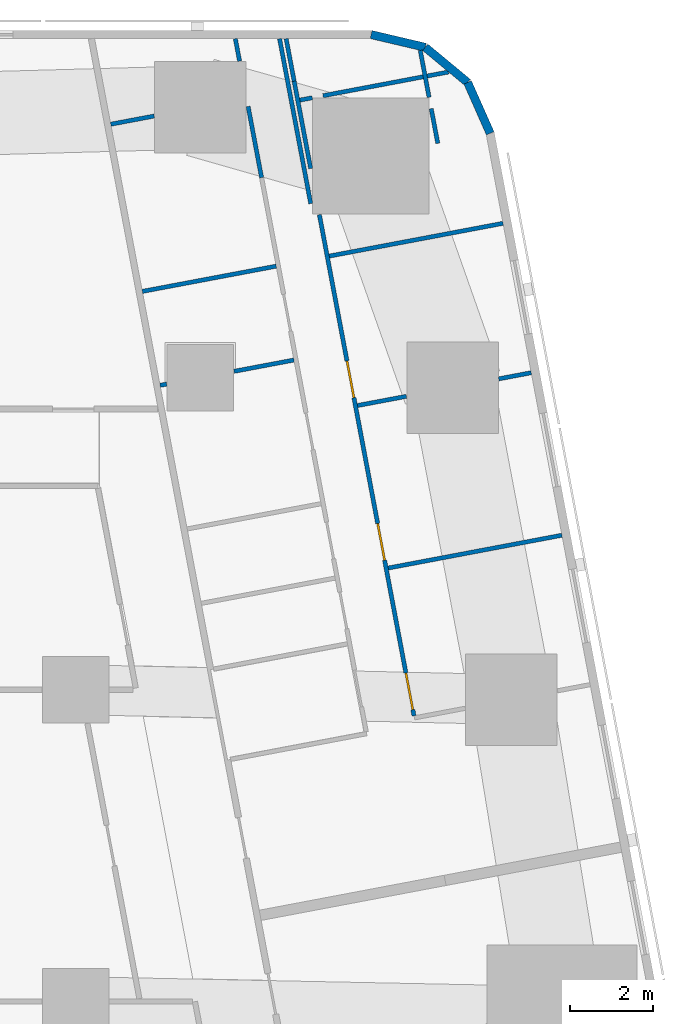
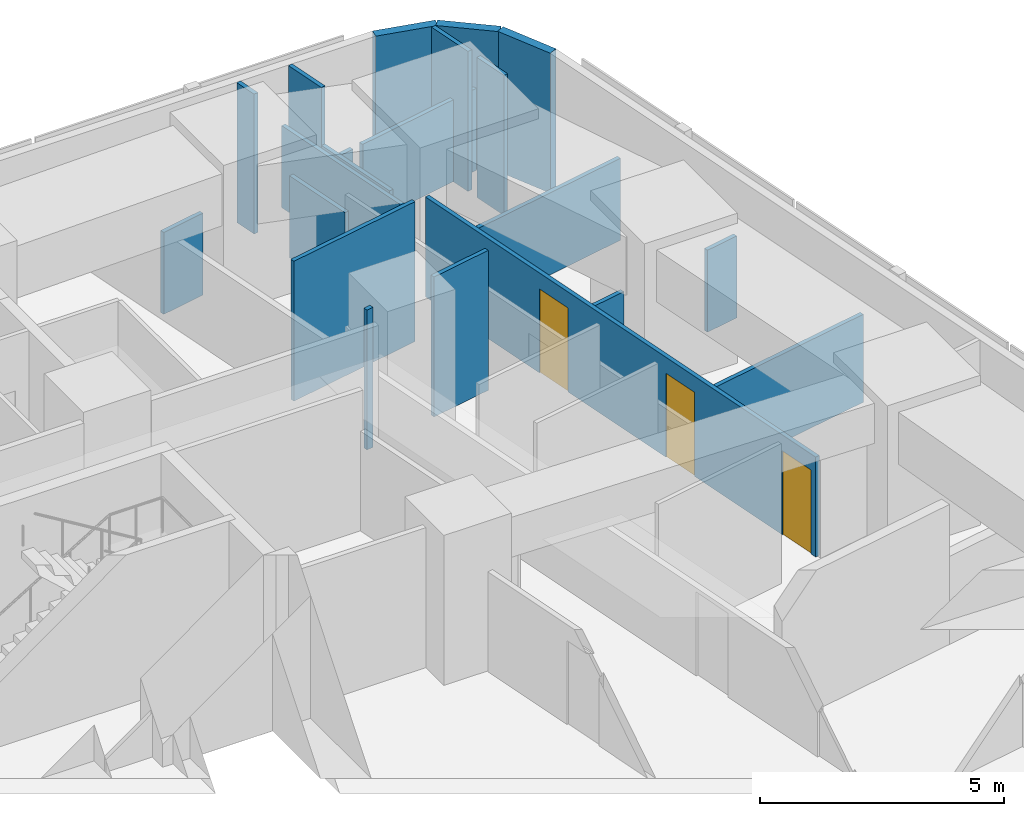
# One storey, part 10 of 15: 21 walls, 3 doors, 3 openings.
"""IFC4 building model written with IfcOpenShell, lengths in metres."""

import ifcopenshell
import ifcopenshell.guid

model = None  # the IFC model being written
_history = None  # IfcOwnerHistory: only IFC2X3 demands one
_inside = {}  # id of a spatial element -> (the spatial element, [elements in it])
_under = {}  # id of a project, library or spatial element -> (it, [spatial elements below it])
_declared = {}  # id of a project -> (the project, [libraries it declares])
_typed = {}  # id of a type object -> (the type object, [elements of that type])
_made_of = {}  # id of a material, layer set ... -> (it, [elements and type objects made of it])


def new_model(schema):
    """Start an empty IFC model of exactly this schema.

    Asked for "IFC4X3", IfcOpenShell would pick the latest addendum, in which some entities
    have other attributes; the version numbers below select the first issue.
    IFC2X3 requires an IfcOwnerHistory on every rooted entity: one is made here for all.
    """
    global model, _history
    if schema == "IFC4X3":
        model = ifcopenshell.file(schema_version=(4, 3, 0, 0))
    else:
        model = ifcopenshell.file(schema=schema)
    _inside.clear()
    _under.clear()
    _declared.clear()
    _typed.clear()
    _made_of.clear()
    _history = None
    if model.schema == "IFC2X3":
        org = make("IfcOrganization", Name="unknown")
        user = make(
            "IfcPersonAndOrganization",
            ThePerson=make("IfcPerson", FamilyName="unknown"),
            TheOrganization=org,
        )
        app = make(
            "IfcApplication",
            ApplicationDeveloper=org,
            Version="unknown",
            ApplicationFullName="unknown",
            ApplicationIdentifier="unknown",
        )
        _history = make(
            "IfcOwnerHistory",
            OwningUser=user,
            OwningApplication=app,
            ChangeAction="ADDED",
            CreationDate=0,
        )
    return model


def make(cls, **values):
    """One entity of the class cls with the attributes given. An attribute that is None is left unset."""
    return model.create_entity(
        cls, **{name: value for name, value in values.items() if value is not None}
    )


def rooted(cls, **values):
    """An entity with a GlobalId (a new one), such as an element, a storey or a relation."""
    return make(cls, GlobalId=ifcopenshell.guid.new(), OwnerHistory=_history, **values)


def si_unit(unit_type, name, prefix=None):
    """IfcSIUnit, for example si_unit("LENGTHUNIT", "METRE", prefix="MILLI")."""
    return make("IfcSIUnit", UnitType=unit_type, Prefix=prefix, Name=name)


def assignment(units):
    """IfcUnitAssignment: the units of a project."""
    return None if units is None else make("IfcUnitAssignment", Units=units)


def point(xyz):
    """IfcCartesianPoint."""
    return None if xyz is None else make("IfcCartesianPoint", Coordinates=xyz)


def direction(xyz):
    """IfcDirection."""
    return None if xyz is None else make("IfcDirection", DirectionRatios=xyz)


def frame(location, z_axis=None, x_axis=None):
    """IfcAxis2Placement3D, a coordinate frame: its origin and axes. An axis left out is left unset."""
    return make(
        "IfcAxis2Placement3D",
        Location=point(location),
        Axis=direction(z_axis),
        RefDirection=direction(x_axis),
    )


def frame_2d(location, x_axis=None):
    """IfcAxis2Placement2D, a coordinate frame in the plane: its origin and x axis."""
    return make(
        "IfcAxis2Placement2D", Location=point(location), RefDirection=direction(x_axis)
    )


def origin():
    """The frame at (0, 0, 0) with its axes left unset."""
    return frame((0.0, 0.0, 0.0))


def place(relative_to, where):
    """IfcLocalPlacement: puts the frame where relative to a parent placement (None: the world)."""
    return make(
        "IfcLocalPlacement", PlacementRelTo=relative_to, RelativePlacement=where
    )


def context(
    kind, dimensions, precision=None, world=None, true_north=None, identifier=None
):
    """IfcGeometricRepresentationContext, for example the 3D "Model" context."""
    return make(
        "IfcGeometricRepresentationContext",
        ContextIdentifier=identifier,
        ContextType=kind,
        CoordinateSpaceDimension=dimensions,
        Precision=precision,
        WorldCoordinateSystem=world,
        TrueNorth=true_north,
    )


def subcontext(parent, identifier, kind, view, scale=None):
    """IfcGeometricRepresentationSubContext, for example "Body" below "Model"."""
    return make(
        "IfcGeometricRepresentationSubContext",
        ContextIdentifier=identifier,
        ContextType=kind,
        ParentContext=parent,
        TargetScale=scale,
        TargetView=view,
    )


def project(units=None, contexts=None):
    """IfcProject with its units and contexts."""
    return rooted(
        "IfcProject",
        Name="project",
        RepresentationContexts=contexts,
        UnitsInContext=assignment(units),
    )


def spatial(cls, under=None, at=None, **own):
    """A site, building, storey or space (cls), placed at a placement, below another one or the project."""
    s = rooted(cls, ObjectPlacement=at, **own)
    if under is not None:
        _under.setdefault(under.id(), (under, []))[1].append(s)
    return s


def profile(cls, at=None, kind="AREA", **sizes):
    """A parametric profile (cls). Its sizes go by their IFC names, for example OverallWidth=200.0."""
    return make(cls, ProfileType=kind, Position=at, **sizes)


def rectangle(**sizes):
    """IfcRectangleProfileDef."""
    return profile("IfcRectangleProfileDef", **sizes)


def extrude(swept, where, along, depth):
    """IfcExtrudedAreaSolid: the profile swept, set in the frame where, extruded along a direction by depth."""
    return make(
        "IfcExtrudedAreaSolid",
        SweptArea=swept,
        Position=where,
        ExtrudedDirection=direction(along),
        Depth=depth,
    )


def shape(context_of_items, identifier, shape_type, items):
    """IfcShapeRepresentation: the items that make up one representation, for example the "Body"."""
    return make(
        "IfcShapeRepresentation",
        ContextOfItems=context_of_items,
        RepresentationIdentifier=identifier,
        RepresentationType=shape_type,
        Items=items,
    )


def material(Name=None, Category=None):
    """IfcMaterial."""
    return make("IfcMaterial", Name=Name, Category=Category)


def layer(
    of_material, thickness, ventilated=None, Name=None, Category=None, Priority=None
):
    """IfcMaterialLayer: one layer of a wall or slab, of a material (None: an air gap)."""
    return make(
        "IfcMaterialLayer",
        Material=of_material,
        LayerThickness=thickness,
        IsVentilated=ventilated,
        Name=Name,
        Category=Category,
        Priority=Priority,
    )


def layer_set(layers, Name=None):
    """IfcMaterialLayerSet."""
    return make("IfcMaterialLayerSet", MaterialLayers=layers, LayerSetName=Name)


def made_of(thing, what):
    """Note that an element or type object is made of a material, layer set ...; save() writes the relation."""
    if what is not None:
        _made_of.setdefault(what.id(), (what, []))[1].append(thing)
    return thing


def type_object(cls, material=None, **own):
    """A type object (cls), such as IfcWallType, which elements share."""
    return made_of(rooted(cls, **own), material)


def element(
    cls,
    number,
    at=None,
    inside=None,
    cuts=None,
    type_object=None,
    material=None,
    context=None,
    identifier="Body",
    shape_type=None,
    held_by="IfcProductDefinitionShape",
    body=None,
    shapes=None,
    **own,
):
    """One element of the class cls, such as IfcWall. Its Tag is "e" and its number.

    at: its placement. inside: the storey or other place that contains it. cuts: it is an
    opening in that element (IfcRelVoidsElement). A single representation is given by context,
    identifier, shape_type and body (its items); several are given by shapes. held_by: the class
    of the entity that holds the representations. save() writes the other relations.
    """
    e = rooted(cls, Tag="e%d" % number, ObjectPlacement=at, **own)
    if body is not None:
        shapes = [shape(context, identifier, shape_type, body)]
    if shapes is not None:
        e.Representation = make(held_by, Representations=shapes)
    if inside is not None:
        _inside.setdefault(inside.id(), (inside, []))[1].append(e)
    if cuts is not None:
        rooted(
            "IfcRelVoidsElement", RelatingBuildingElement=cuts, RelatedOpeningElement=e
        )
    if type_object is not None:
        _typed.setdefault(type_object.id(), (type_object, []))[1].append(e)
    return made_of(e, material)


def fill(opening, filler):
    """IfcRelFillsElement: the door or window that sits in an opening."""
    return rooted(
        "IfcRelFillsElement",
        RelatingOpeningElement=opening,
        RelatedBuildingElement=filler,
    )


def aggregate(whole, parts):
    """IfcRelAggregates: a whole, such as a stair, and the parts it consists of."""
    return rooted("IfcRelAggregates", RelatingObject=whole, RelatedObjects=parts)


def save(model, path):
    """Write the relations noted so far, then the file.

    IfcRelAggregates (storeys below a building ...), IfcRelContainedInSpatialStructure (elements
    in a storey), IfcRelDefinesByType, IfcRelAssociatesMaterial and IfcRelDeclares: one each for
    every whole, place, type object, material and project.
    """
    for whole, parts in _under.values():
        aggregate(whole, parts)
    for where, things in _inside.values():
        rooted(
            "IfcRelContainedInSpatialStructure",
            RelatedElements=things,
            RelatingStructure=where,
        )
    for kind, things in _typed.values():
        rooted("IfcRelDefinesByType", RelatedObjects=things, RelatingType=kind)
    for what, things in _made_of.values():
        rooted("IfcRelAssociatesMaterial", RelatedObjects=things, RelatingMaterial=what)
    for by, libraries in _declared.values():
        rooted("IfcRelDeclares", RelatingContext=by, RelatedDefinitions=libraries)
    model.write(path)


model = new_model("IFC4")

# Units and contexts
model_context = context("Model", 3, precision=1e-05, world=origin(), true_north=direction((0.0, 1.0)))
body_context = subcontext(model_context, "Body", "Model", "MODEL_VIEW")
ifc_project = project(units=[si_unit("LENGTHUNIT", "METRE"), si_unit("AREAUNIT", "SQUARE_METRE"), si_unit("VOLUMEUNIT", "CUBIC_METRE"), si_unit("PLANEANGLEUNIT", "RADIAN"), si_unit("MASSUNIT", "GRAM", prefix="KILO")], contexts=[model_context])

# Site, building, storey
site_placement = place(None, origin())
site = spatial("IfcSite", under=ifc_project, at=site_placement, CompositionType="ELEMENT")
building_placement = place(site_placement, origin())
building = spatial("IfcBuilding", under=site, at=building_placement, Name="Sheger Commons Tower", CompositionType="ELEMENT")
storey_placement = place(building_placement, frame((0.0, 0.0, 85.39990234375)))
storey = spatial("IfcBuildingStorey", under=building, at=storey_placement, Name="L21", CompositionType="ELEMENT", Elevation=85.39990234375)

# Walls
ifc_material_1 = material(Name="Rendered concrete block masonry, dark grey", Category="masonry")
ifc_layer_1 = layer(ifc_material_1, 0.199951171875)
ifc_layer_set_1 = layer_set([ifc_layer_1], Name="FACADE WALL 200")
wall_type_1 = type_object("IfcWallType", Name="FACADE WALL 200", PredefinedType="SOLIDWALL", material=ifc_layer_set_1)
wall_1_placement = place(storey_placement, frame((42.969970703125, 43.376953125, 0.0), z_axis=(0.0, 0.0, 1.0), x_axis=(-0.406002956633, 0.913871762998, 0.0)))
element("IfcWall", 1, at=wall_1_placement, inside=storey, type_object=wall_type_1, Name="Facade wall L21", PredefinedType="SOLIDWALL", context=body_context, shape_type="SweptSolid", body=[
    extrude(rectangle(XDim=1.33740234375, YDim=0.199951171875, at=frame_2d((0.668701171875, 0.0))), origin(), (0.0, 0.0, 1.0), 3.5),
])
wall_2_placement = place(storey_placement, frame((42.427001953125, 44.59912109375, 0.0), z_axis=(0.0, 0.0, 1.0), x_axis=(-0.770091412544, 0.637933551655, 0.0)))
element("IfcWall", 2, at=wall_2_placement, inside=storey, type_object=wall_type_1, Name="Facade wall L21", PredefinedType="SOLIDWALL", context=body_context, shape_type="SweptSolid", body=[
    extrude(rectangle(XDim=1.324462890625, YDim=0.199951171875, at=frame_2d((0.662109375, 0.0))), origin(), (0.0, 0.0, 1.0), 3.5),
])
wall_3_placement = place(storey_placement, frame((41.406982421875, 45.444091796875, 0.0), z_axis=(0.0, 0.0, 1.0), x_axis=(-0.973453091607, 0.228886606077, 0.0)))
element("IfcWall", 3, at=wall_3_placement, inside=storey, type_object=wall_type_1, Name="Facade wall L21", PredefinedType="SOLIDWALL", context=body_context, shape_type="SweptSolid", body=[
    extrude(rectangle(XDim=1.33642578125, YDim=0.199951171875, at=frame_2d((0.668212890625, 0.0))), origin(), (0.0, 0.0, 1.0), 3.5),
])
ifc_material_2 = material(Name="Gypsum board on steel studs", Category="steel")
ifc_layer_2 = layer(ifc_material_2, 0.10009765625)
ifc_layer_set_2 = layer_set([ifc_layer_2], Name="PARTITION 100")
wall_type_2 = type_object("IfcWallType", Name="PARTITION 100", PredefinedType="PARTITIONING", material=ifc_layer_set_2)
wall_4_placement = place(storey_placement, frame((38.654052734375, 41.68603515625, 0.0), z_axis=(0.0, 0.0, 1.0), x_axis=(-0.185676896978, 0.982610853761, 0.0)))
element("IfcWall", 4, at=wall_4_placement, inside=storey, type_object=wall_type_2, Name="Partition L21", PredefinedType="PARTITIONING", context=body_context, shape_type="SweptSolid", body=[
    extrude(rectangle(XDim=4.033935546875, YDim=0.10009765625, at=frame_2d((2.01708984375, 0.0))), origin(), (0.0, 0.0, 1.0), 2.050048828125),
])
wall_5_placement = place(storey_placement, frame((41.287109375, 45.3701171875, 0.0), z_axis=(0.0, 0.0, 1.0), x_axis=(0.185121628323, -0.982715616405, 0.0)))
element("IfcWall", 5, at=wall_5_placement, inside=storey, type_object=wall_type_2, Name="Partition L21", PredefinedType="PARTITIONING", context=body_context, shape_type="SweptSolid", body=[
    extrude(rectangle(XDim=1.14990234375, YDim=0.10009765625, at=frame_2d((0.574951171875, 0.0))), origin(), (0.0, 0.0, 1.0), 3.5),
])
wall_6_placement = place(storey_placement, frame((41.551025390625, 43.968994140625, 0.0), z_axis=(0.0, 0.0, 1.0), x_axis=(0.185884171512, -0.982571663942, 0.0)))
element("IfcWall", 6, at=wall_6_placement, inside=storey, type_object=wall_type_2, Name="Partition L21", PredefinedType="PARTITIONING", context=body_context, shape_type="SweptSolid", body=[
    extrude(rectangle(XDim=0.849853515625, YDim=0.10009765625, at=frame_2d((0.4248046875, 0.0))), origin(), (0.0, 0.0, 1.0), 3.5),
])
wall_7_placement = place(storey_placement, frame((38.06298828125, 45.64990234375, 0.0), z_axis=(0.0, 0.0, 1.0), x_axis=(0.185677287841, -0.982610779902, 0.0)))
element("IfcWall", 7, at=wall_7_placement, inside=storey, type_object=wall_type_2, Name="Partition L21", PredefinedType="PARTITIONING", context=body_context, shape_type="SweptSolid", body=[
    extrude(rectangle(XDim=1.0400390625, YDim=0.10009765625, at=frame_2d((0.52001953125, 0.0))), origin(), (0.0, 0.0, 1.0), 3.5),
])
wall_8_placement = place(storey_placement, frame((38.256103515625, 44.6279296875, 0.0), z_axis=(0.0, 0.0, 1.0), x_axis=(0.185757524649, -0.982595614704, 0.0)))
element("IfcWall", 8, at=wall_8_placement, inside=storey, type_object=wall_type_2, Name="Partition L21", PredefinedType="PARTITIONING", context=body_context, shape_type="SweptSolid", body=[
    extrude(rectangle(XDim=2.136962890625, YDim=0.10009765625, at=frame_2d((1.068359375, 0.0))), origin(), (0.0, 0.0, 1.0), 2.050048828125),
])

# Wall, openings, doors
wall_9_placement = place(storey_placement, frame((38.862060546875, 41.419921875, 0.0), z_axis=(0.0, 0.0, 1.0), x_axis=(0.185529020159, -0.982638785454, 0.0)))
wall_9 = element("IfcWall", 9, at=wall_9_placement, inside=storey, type_object=wall_type_2, Name="Partition L21", PredefinedType="PARTITIONING", context=body_context, shape_type="SweptSolid", body=[
    extrude(rectangle(XDim=12.26171875, YDim=0.10009765625, at=frame_2d((6.130859375, 0.0))), origin(), (0.0, 0.0, 1.0), 2.5),
])
opening_1_placement = place(wall_9_placement, frame((11.2119140625, 0.0, 0.0)))
opening_1 = element("IfcOpeningElement", 10, at=opening_1_placement, cuts=wall_9, Name="Opening D2", PredefinedType="OPENING", context=body_context, shape_type="SweptSolid", body=[
    extrude(rectangle(XDim=0.89990234375, YDim=2.10009765625, at=frame_2d((0.449951171875, 1.050048828125))), frame((0.0, 0.06005859375, 0.0), z_axis=(0.0, -1.0, 0.0), x_axis=(1.0, 0.0, 0.0)), (0.0, 0.0, 1.0), 0.1201171875),
])
opening_2_placement = place(wall_9_placement, frame((7.554931640625, 0.0, 0.0)))
opening_2 = element("IfcOpeningElement", 11, at=opening_2_placement, cuts=wall_9, Name="Opening D2", PredefinedType="OPENING", context=body_context, shape_type="SweptSolid", body=[
    extrude(rectangle(XDim=0.89990234375, YDim=2.10009765625, at=frame_2d((0.449951171875, 1.050048828125))), frame((0.0, 0.06005859375, 0.0), z_axis=(0.0, -1.0, 0.0), x_axis=(1.0, 0.0, 0.0)), (0.0, 0.0, 1.0), 0.1201171875),
])
opening_3_placement = place(wall_9_placement, frame((3.5791015625, 0.0, 0.0)))
opening_3 = element("IfcOpeningElement", 12, at=opening_3_placement, cuts=wall_9, Name="Opening D2", PredefinedType="OPENING", context=body_context, shape_type="SweptSolid", body=[
    extrude(rectangle(XDim=0.89990234375, YDim=2.10009765625, at=frame_2d((0.449951171875, 1.050048828125))), frame((0.0, 0.06005859375, 0.0), z_axis=(0.0, -1.0, 0.0), x_axis=(1.0, 0.0, 0.0)), (0.0, 0.0, 1.0), 0.1201171875),
])
ifc_material_3 = material(Name="Timber door set", Category="wood")
door_type = type_object("IfcDoorType", Name="INTERNAL DOOR 900x2100", OperationType="NOTDEFINED", PredefinedType="DOOR", material=ifc_material_3)
door_1_placement = place(opening_1_placement, origin())
door_1 = element("IfcDoor", 13, at=door_1_placement, inside=storey, type_object=door_type, Name="Main bedroom door", OperationType="SINGLE_SWING_RIGHT", OverallHeight=2.10009765625, OverallWidth=0.89990234375, PredefinedType="DOOR", context=body_context, shape_type="SweptSolid", body=[
    extrude(rectangle(XDim=0.89990234375, YDim=2.10009765625, at=frame_2d((0.449951171875, 1.050048828125))), frame((0.0, 0.02490234375, 0.0), z_axis=(0.0, -1.0, 0.0), x_axis=(1.0, 0.0, 0.0)), (0.0, 0.0, 1.0), 0.050048828125),
])
fill(opening_1, door_1)
door_2_placement = place(opening_2_placement, origin())
door_2 = element("IfcDoor", 14, at=door_2_placement, inside=storey, type_object=door_type, Name="Bedroom 2 door", OperationType="SINGLE_SWING_RIGHT", OverallHeight=2.10009765625, OverallWidth=0.89990234375, PredefinedType="DOOR", context=body_context, shape_type="SweptSolid", body=[
    extrude(rectangle(XDim=0.89990234375, YDim=2.10009765625, at=frame_2d((0.449951171875, 1.050048828125))), frame((0.0, 0.02490234375, 0.0), z_axis=(0.0, -1.0, 0.0), x_axis=(1.0, 0.0, 0.0)), (0.0, 0.0, 1.0), 0.050048828125),
])
fill(opening_2, door_2)
door_3_placement = place(opening_3_placement, origin())
door_3 = element("IfcDoor", 15, at=door_3_placement, inside=storey, type_object=door_type, Name="Bedroom 3 door", OperationType="SINGLE_SWING_RIGHT", OverallHeight=2.10009765625, OverallWidth=0.89990234375, PredefinedType="DOOR", context=body_context, shape_type="SweptSolid", body=[
    extrude(rectangle(XDim=0.89990234375, YDim=2.10009765625, at=frame_2d((0.449951171875, 1.050048828125))), frame((0.0, 0.02490234375, 0.0), z_axis=(0.0, -1.0, 0.0), x_axis=(1.0, 0.0, 0.0)), (0.0, 0.0, 1.0), 0.050048828125),
])
fill(opening_3, door_3)

# Walls
wall_10_placement = place(storey_placement, frame((36.842041015625, 45.64990234375, 0.0), z_axis=(0.0, 0.0, 1.0), x_axis=(0.185764109712, -0.98259436979, 0.0)))
element("IfcWall", 16, at=wall_10_placement, inside=storey, type_object=wall_type_2, Name="Partition L21", PredefinedType="PARTITIONING", context=body_context, shape_type="SweptSolid", body=[
    extrude(rectangle(XDim=0.54931640625, YDim=0.10009765625, at=frame_2d((0.274658203125, 0.0))), origin(), (0.0, 0.0, 1.0), 3.5),
])
wall_11_placement = place(storey_placement, frame((37.14892578125, 44.02197265625, 0.0), z_axis=(0.0, 0.0, 1.0), x_axis=(0.185844162065, -0.982579232137, 0.0)))
element("IfcWall", 17, at=wall_11_placement, inside=storey, type_object=wall_type_2, Name="Partition L21", PredefinedType="PARTITIONING", context=body_context, shape_type="SweptSolid", body=[
    extrude(rectangle(XDim=1.7431640625, YDim=0.10009765625, at=frame_2d((0.87158203125, 0.0))), origin(), (0.0, 0.0, 1.0), 2.050048828125),
])
wall_12_placement = place(storey_placement, frame((41.968017578125, 44.85009765625, 0.0), z_axis=(0.0, 0.0, 1.0), x_axis=(-0.982566714195, -0.185910333644, 0.0)))
element("IfcWall", 18, at=wall_12_placement, inside=storey, type_object=wall_type_2, Name="Partition L21", PredefinedType="PARTITIONING", context=body_context, shape_type="SweptSolid", body=[
    extrude(rectangle(XDim=3.071533203125, YDim=0.10009765625, at=frame_2d((1.53564453125, 0.0))), origin(), (0.0, 0.0, 1.0), 2.050048828125),
])
wall_13_placement = place(storey_placement, frame((38.69189453125, 44.22998046875, 0.0), z_axis=(0.0, 0.0, 1.0), x_axis=(-0.982944840311, -0.183900627803, 0.0)))
element("IfcWall", 19, at=wall_13_placement, inside=storey, type_object=wall_type_2, Name="Partition L21", PredefinedType="PARTITIONING", context=body_context, shape_type="SweptSolid", body=[
    extrude(rectangle(XDim=0.303955078125, YDim=0.10009765625, at=frame_2d((0.15185546875, 0.0))), origin(), (0.0, 0.0, 1.0), 2.050048828125),
])
wall_14_placement = place(storey_placement, frame((43.277099609375, 41.2119140625, 0.0), z_axis=(0.0, 0.0, 1.0), x_axis=(-0.982665405803, -0.185387972203, 0.0)))
element("IfcWall", 20, at=wall_14_placement, inside=storey, type_object=wall_type_2, Name="Partition L21", PredefinedType="PARTITIONING", context=body_context, shape_type="SweptSolid", body=[
    extrude(rectangle(XDim=4.249755859375, YDim=0.10009765625, at=frame_2d((2.125, 0.0))), origin(), (0.0, 0.0, 1.0), 2.050048828125),
])
wall_15_placement = place(storey_placement, frame((43.955078125, 37.6201171875, 0.0), z_axis=(0.0, 0.0, 1.0), x_axis=(-0.98247004097, -0.186420542316, 0.0)))
element("IfcWall", 21, at=wall_15_placement, inside=storey, type_object=wall_type_2, Name="Partition L21", PredefinedType="PARTITIONING", context=body_context, shape_type="SweptSolid", body=[
    extrude(rectangle(XDim=0.794921875, YDim=0.10009765625, at=frame_2d((0.3974609375, 0.0))), origin(), (0.0, 0.0, 1.0), 2.050048828125),
])
wall_16_placement = place(storey_placement, frame((40.9541015625, 37.052978515625, 0.0), z_axis=(0.0, 0.0, 1.0), x_axis=(-0.982628652346, -0.185582681276, 0.0)))
element("IfcWall", 22, at=wall_16_placement, inside=storey, type_object=wall_type_2, Name="Partition L21", PredefinedType="PARTITIONING", context=body_context, shape_type="SweptSolid", body=[
    extrude(rectangle(XDim=1.19580078125, YDim=0.10009765625, at=frame_2d((0.597900390625, 0.0))), origin(), (0.0, 0.0, 1.0), 2.050048828125),
])
wall_17_placement = place(storey_placement, frame((44.693115234375, 33.712890625, 0.0), z_axis=(0.0, 0.0, 1.0), x_axis=(-0.982623519589, -0.185609856287, 0.0)))
element("IfcWall", 23, at=wall_17_placement, inside=storey, type_object=wall_type_2, Name="Partition L21", PredefinedType="PARTITIONING", context=body_context, shape_type="SweptSolid", body=[
    extrude(rectangle(XDim=4.249755859375, YDim=0.10009765625, at=frame_2d((2.125, 0.0))), origin(), (0.0, 0.0, 1.0), 2.2001953125),
])
wall_18_placement = place(storey_placement, frame((34.889892578125, 43.791015625, 0.0), z_axis=(0.0, 0.0, 1.0), x_axis=(-0.982621304855, -0.185621580763, 0.0)))
element("IfcWall", 24, at=wall_18_placement, inside=storey, type_object=wall_type_2, Name="Partition L21", PredefinedType="PARTITIONING", context=body_context, shape_type="SweptSolid", body=[
    extrude(rectangle(XDim=1.0615234375, YDim=0.10009765625, at=frame_2d((0.53076171875, 0.0))), origin(), (0.0, 0.0, 1.0), 2.050048828125),
])
wall_19_placement = place(storey_placement, frame((37.823974609375, 40.181884765625, 0.0), z_axis=(0.0, 0.0, 1.0), x_axis=(-0.982674977865, -0.185337227447, 0.0)))
element("IfcWall", 25, at=wall_19_placement, inside=storey, type_object=wall_type_2, Name="Partition L21", PredefinedType="PARTITIONING", context=body_context, shape_type="SweptSolid", body=[
    extrude(rectangle(XDim=3.274658203125, YDim=0.10009765625, at=frame_2d((1.63720703125, 0.0))), origin(), (0.0, 0.0, 1.0), 3.5),
])
wall_20_placement = place(storey_placement, frame((38.25, 37.925048828125, 0.0), z_axis=(0.0, 0.0, 1.0), x_axis=(-0.982626127294, -0.185596050493, 0.0)))
element("IfcWall", 26, at=wall_20_placement, inside=storey, type_object=wall_type_2, Name="Partition L21", PredefinedType="PARTITIONING", context=body_context, shape_type="SweptSolid", body=[
    extrude(rectangle(XDim=1.46533203125, YDim=0.10009765625, at=frame_2d((0.732666015625, 0.0))), origin(), (0.0, 0.0, 1.0), 3.5),
])
wall_21_placement = place(storey_placement, frame((35.18994140625, 37.346923828125, 0.0), z_axis=(0.0, 0.0, 1.0), x_axis=(-0.982404955251, -0.186763229514, 0.0)))
element("IfcWall", 27, at=wall_21_placement, inside=storey, type_object=wall_type_2, Name="Partition L21", PredefinedType="PARTITIONING", context=body_context, shape_type="SweptSolid", body=[
    extrude(rectangle(XDim=0.160888671875, YDim=0.10009765625, at=frame_2d((0.08056640625, 0.0))), origin(), (0.0, 0.0, 1.0), 3.5),
])

save(model, "model.ifc")
